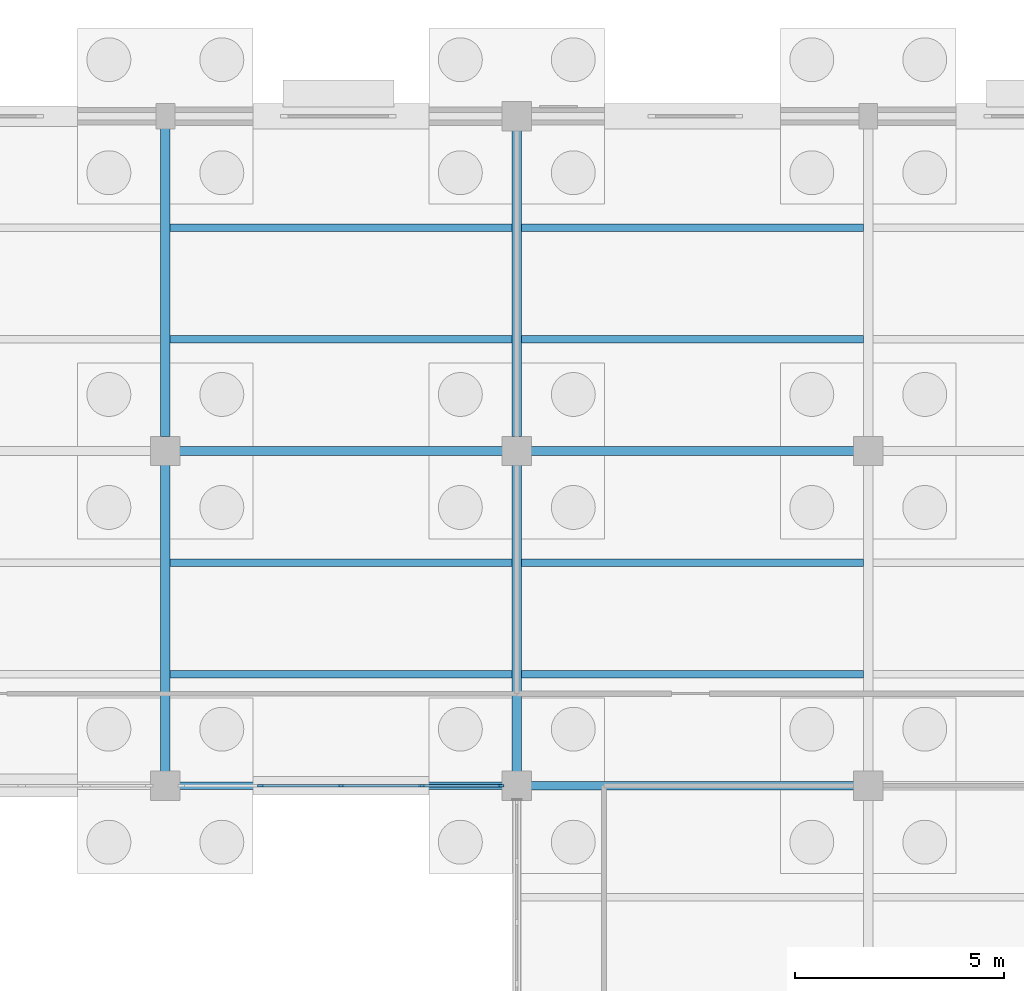
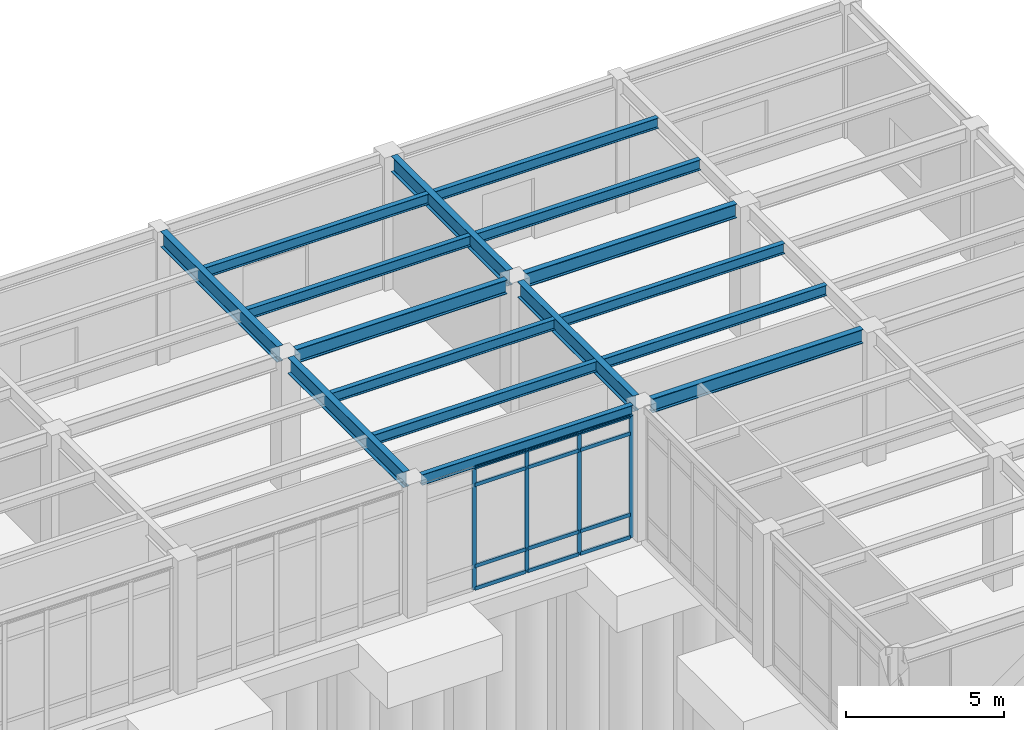
# One storey, part 62 of 138: 16 beams, 16 members, 1 element without a shape of its own.
"""IFC4 building model written with IfcOpenShell, lengths in metres."""

from ifc_helpers import new_model, si_unit, direction, frame, origin, origin_2d, place, context, subcontext, project, spatial, rectangle, i_section, extrude, material, layer, layer_set, material_profile, profile_set, type_object, element, aggregate, save


model = new_model("IFC4")

# Units and contexts
model_context = context("Model", 3, precision=1e-05, world=origin(), true_north=direction((0.0, 1.0)))
body_context = subcontext(model_context, "Body", "Model", "MODEL_VIEW")
ifc_project = project(units=[si_unit("LENGTHUNIT", "METRE"), si_unit("AREAUNIT", "SQUARE_METRE"), si_unit("VOLUMEUNIT", "CUBIC_METRE"), si_unit("PLANEANGLEUNIT", "RADIAN"), si_unit("MASSUNIT", "GRAM", prefix="KILO")], contexts=[model_context])

# Site, building, storey
site_placement = place(None, origin())
site = spatial("IfcSite", under=ifc_project, at=site_placement, CompositionType="ELEMENT")
building_placement = place(site_placement, origin())
building = spatial("IfcBuilding", under=site, at=building_placement, Name="Kranzveld Transit Interchange", CompositionType="ELEMENT")
storey_placement = place(building_placement, origin())
storey = spatial("IfcBuildingStorey", under=building, at=storey_placement, Name="L00", CompositionType="ELEMENT", Elevation=0.0)

# Curtain wall, members
ifc_material_1 = material(Name="Bronze-anodised thermally broken aluminium", Category="aluminium")
ifc_layer = layer(ifc_material_1, 0.159912109375)
ifc_layer_set = layer_set([ifc_layer], Name="Bronze-anodised thermally broken aluminium")
curtain_wall_type = type_object("IfcCurtainWallType", Name="Bus Boarding Glazed Screen CW-3", PredefinedType="USERDEFINED", material=ifc_layer_set)
curtain_wall_placement = place(storey_placement, origin())
curtain_wall = element("IfcCurtainWall", 1, at=curtain_wall_placement, inside=storey, type_object=curtain_wall_type, Name="L00 Curtain Wall 18/N-19/N", ObjectType="CURTAIN WALL", PredefinedType="USERDEFINED")
ifc_material_2 = material(Name="Bronze-anodised thermally broken aluminium", Category="aluminium")
ifc_material_profile_1 = material_profile(ifc_material_2, rectangle(XDim=0.06005859375, YDim=0.14990234375, at=origin_2d()), Name="ALU MULLION 60x150")
ifc_profile_set_1 = profile_set([ifc_material_profile_1], Name="Bronze-anodised thermally broken aluminium")
member_type_1 = type_object("IfcMemberType", Name="Curtain Wall Mullion 60x150 Alu", PredefinedType="MULLION", material=ifc_profile_set_1)
member_1_placement = place(storey_placement, frame((145.074951171875, 96.0, 0.0), z_axis=(0.0, 0.0, 1.0), x_axis=(0.0, 1.0, 0.0)))
member_1 = element("IfcMember", 2, at=member_1_placement, type_object=member_type_1, Name="CW-3 mullion 2", PredefinedType="MULLION", context=body_context, shape_type="SweptSolid", body=[
    extrude(rectangle(XDim=0.06005859375, YDim=0.14990234375, at=origin_2d()), origin(), (0.0, 0.0, 1.0), 4.740478515625),
])
member_2_placement = place(storey_placement, frame((147.0, 96.0, 0.0), z_axis=(0.0, 0.0, 1.0), x_axis=(0.0, 1.0, 0.0)))
member_2 = element("IfcMember", 3, at=member_2_placement, type_object=member_type_1, Name="CW-3 mullion 3", PredefinedType="MULLION", context=body_context, shape_type="SweptSolid", body=[
    extrude(rectangle(XDim=0.06005859375, YDim=0.14990234375, at=origin_2d()), origin(), (0.0, 0.0, 1.0), 4.740478515625),
])
member_3_placement = place(storey_placement, frame((148.925048828125, 96.0, 0.0), z_axis=(0.0, 0.0, 1.0), x_axis=(0.0, 1.0, 0.0)))
member_3 = element("IfcMember", 4, at=member_3_placement, type_object=member_type_1, Name="CW-3 mullion 4", PredefinedType="MULLION", context=body_context, shape_type="SweptSolid", body=[
    extrude(rectangle(XDim=0.06005859375, YDim=0.14990234375, at=origin_2d()), origin(), (0.0, 0.0, 1.0), 4.740478515625),
])
member_4_placement = place(storey_placement, frame((150.820068359375, 96.0, 0.0), z_axis=(0.0, 0.0, 1.0), x_axis=(0.0, 1.0, 0.0)))
member_4 = element("IfcMember", 5, at=member_4_placement, type_object=member_type_1, Name="CW-3 mullion 5", PredefinedType="MULLION", context=body_context, shape_type="SweptSolid", body=[
    extrude(rectangle(XDim=0.06005859375, YDim=0.14990234375, at=origin_2d()), origin(), (0.0, 0.0, 1.0), 4.740478515625),
])
ifc_material_3 = material(Name="Bronze-anodised thermally broken aluminium", Category="aluminium")
ifc_material_profile_2 = material_profile(ifc_material_3, rectangle(XDim=0.06494140625, YDim=0.139892578125, at=origin_2d()), Name="ALU TRANSOM 65x140")
ifc_profile_set_2 = profile_set([ifc_material_profile_2], Name="Bronze-anodised thermally broken aluminium")
member_type_2 = type_object("IfcMemberType", Name="Curtain Wall Transom 65x140 Alu", PredefinedType="USERDEFINED", material=ifc_profile_set_2)
member_5_placement = place(storey_placement, frame((145.10498046875, 96.0, 0.032470703125), z_axis=(1.0, 0.0, 0.0), x_axis=(0.0, 1.0, 0.0)))
member_5 = element("IfcMember", 6, at=member_5_placement, type_object=member_type_2, Name="CW-3 transom 2.1", ObjectType="TRANSOM", PredefinedType="USERDEFINED", context=body_context, shape_type="SweptSolid", body=[
    extrude(rectangle(XDim=0.06494140625, YDim=0.139892578125, at=origin_2d()), origin(), (0.0, 0.0, 1.0), 1.864990234375),
])
member_6_placement = place(storey_placement, frame((145.10498046875, 96.0, 0.89990234375), z_axis=(1.0, 0.0, 0.0), x_axis=(0.0, 1.0, 0.0)))
member_6 = element("IfcMember", 7, at=member_6_placement, type_object=member_type_2, Name="CW-3 transom 2.2", ObjectType="TRANSOM", PredefinedType="USERDEFINED", context=body_context, shape_type="SweptSolid", body=[
    extrude(rectangle(XDim=0.06494140625, YDim=0.139892578125, at=origin_2d()), origin(), (0.0, 0.0, 1.0), 1.864990234375),
])
member_7_placement = place(storey_placement, frame((145.10498046875, 96.0, 4.04052734375), z_axis=(1.0, 0.0, 0.0), x_axis=(0.0, 1.0, 0.0)))
member_7 = element("IfcMember", 8, at=member_7_placement, type_object=member_type_2, Name="CW-3 transom 2.3", ObjectType="TRANSOM", PredefinedType="USERDEFINED", context=body_context, shape_type="SweptSolid", body=[
    extrude(rectangle(XDim=0.06494140625, YDim=0.139892578125, at=origin_2d()), origin(), (0.0, 0.0, 1.0), 1.864990234375),
])
member_8_placement = place(storey_placement, frame((145.10498046875, 96.0, 4.7080078125), z_axis=(1.0, 0.0, 0.0), x_axis=(0.0, 1.0, 0.0)))
member_8 = element("IfcMember", 9, at=member_8_placement, type_object=member_type_2, Name="CW-3 transom 2.4", ObjectType="TRANSOM", PredefinedType="USERDEFINED", context=body_context, shape_type="SweptSolid", body=[
    extrude(rectangle(XDim=0.06494140625, YDim=0.139892578125, at=origin_2d()), origin(), (0.0, 0.0, 1.0), 1.864990234375),
])
member_9_placement = place(storey_placement, frame((147.030029296875, 96.0, 0.032470703125), z_axis=(1.0, 0.0, 0.0), x_axis=(0.0, 1.0, 0.0)))
member_9 = element("IfcMember", 10, at=member_9_placement, type_object=member_type_2, Name="CW-3 transom 3.1", ObjectType="TRANSOM", PredefinedType="USERDEFINED", context=body_context, shape_type="SweptSolid", body=[
    extrude(rectangle(XDim=0.06494140625, YDim=0.139892578125, at=origin_2d()), origin(), (0.0, 0.0, 1.0), 1.864990234375),
])
member_10_placement = place(storey_placement, frame((147.030029296875, 96.0, 0.89990234375), z_axis=(1.0, 0.0, 0.0), x_axis=(0.0, 1.0, 0.0)))
member_10 = element("IfcMember", 11, at=member_10_placement, type_object=member_type_2, Name="CW-3 transom 3.2", ObjectType="TRANSOM", PredefinedType="USERDEFINED", context=body_context, shape_type="SweptSolid", body=[
    extrude(rectangle(XDim=0.06494140625, YDim=0.139892578125, at=origin_2d()), origin(), (0.0, 0.0, 1.0), 1.864990234375),
])
member_11_placement = place(storey_placement, frame((147.030029296875, 96.0, 4.04052734375), z_axis=(1.0, 0.0, 0.0), x_axis=(0.0, 1.0, 0.0)))
member_11 = element("IfcMember", 12, at=member_11_placement, type_object=member_type_2, Name="CW-3 transom 3.3", ObjectType="TRANSOM", PredefinedType="USERDEFINED", context=body_context, shape_type="SweptSolid", body=[
    extrude(rectangle(XDim=0.06494140625, YDim=0.139892578125, at=origin_2d()), origin(), (0.0, 0.0, 1.0), 1.864990234375),
])
member_12_placement = place(storey_placement, frame((147.030029296875, 96.0, 4.7080078125), z_axis=(1.0, 0.0, 0.0), x_axis=(0.0, 1.0, 0.0)))
member_12 = element("IfcMember", 13, at=member_12_placement, type_object=member_type_2, Name="CW-3 transom 3.4", ObjectType="TRANSOM", PredefinedType="USERDEFINED", context=body_context, shape_type="SweptSolid", body=[
    extrude(rectangle(XDim=0.06494140625, YDim=0.139892578125, at=origin_2d()), origin(), (0.0, 0.0, 1.0), 1.864990234375),
])
member_13_placement = place(storey_placement, frame((148.955078125, 96.0, 0.032470703125), z_axis=(1.0, 0.0, 0.0), x_axis=(0.0, 1.0, 0.0)))
member_13 = element("IfcMember", 14, at=member_13_placement, type_object=member_type_2, Name="CW-3 transom 4.1", ObjectType="TRANSOM", PredefinedType="USERDEFINED", context=body_context, shape_type="SweptSolid", body=[
    extrude(rectangle(XDim=0.06494140625, YDim=0.139892578125, at=origin_2d()), origin(), (0.0, 0.0, 1.0), 1.8349609375),
])
member_14_placement = place(storey_placement, frame((148.955078125, 96.0, 0.89990234375), z_axis=(1.0, 0.0, 0.0), x_axis=(0.0, 1.0, 0.0)))
member_14 = element("IfcMember", 15, at=member_14_placement, type_object=member_type_2, Name="CW-3 transom 4.2", ObjectType="TRANSOM", PredefinedType="USERDEFINED", context=body_context, shape_type="SweptSolid", body=[
    extrude(rectangle(XDim=0.06494140625, YDim=0.139892578125, at=origin_2d()), origin(), (0.0, 0.0, 1.0), 1.8349609375),
])
member_15_placement = place(storey_placement, frame((148.955078125, 96.0, 4.04052734375), z_axis=(1.0, 0.0, 0.0), x_axis=(0.0, 1.0, 0.0)))
member_15 = element("IfcMember", 16, at=member_15_placement, type_object=member_type_2, Name="CW-3 transom 4.3", ObjectType="TRANSOM", PredefinedType="USERDEFINED", context=body_context, shape_type="SweptSolid", body=[
    extrude(rectangle(XDim=0.06494140625, YDim=0.139892578125, at=origin_2d()), origin(), (0.0, 0.0, 1.0), 1.8349609375),
])
member_16_placement = place(storey_placement, frame((148.955078125, 96.0, 4.7080078125), z_axis=(1.0, 0.0, 0.0), x_axis=(0.0, 1.0, 0.0)))
member_16 = element("IfcMember", 17, at=member_16_placement, type_object=member_type_2, Name="CW-3 transom 4.4", ObjectType="TRANSOM", PredefinedType="USERDEFINED", context=body_context, shape_type="SweptSolid", body=[
    extrude(rectangle(XDim=0.06494140625, YDim=0.139892578125, at=origin_2d()), origin(), (0.0, 0.0, 1.0), 1.8349609375),
])
aggregate(curtain_wall, [member_1, member_2, member_3, member_4, member_5, member_6, member_7, member_8, member_9, member_10, member_11, member_12, member_13, member_14, member_15, member_16])

# Beams
ifc_material_4 = material(Name="Steel S355JR", Category="steel")
ifc_material_profile_3 = material_profile(ifc_material_4, i_section(OverallWidth=0.1787109375, OverallDepth=0.409423828125, WebThickness=0.0087890625, FlangeThickness=0.014404296875, FilletRadius=0.01025390625, at=origin_2d()), Name="UB 406x178x67")
ifc_profile_set_3 = profile_set([ifc_material_profile_3], Name="Steel S355JR")
beam_type_1 = type_object("IfcBeamType", Name="Facade Spandrel UB 406x178x67 S355JR", PredefinedType="SPANDREL", material=ifc_profile_set_3)
beam_1_placement = place(storey_placement, frame((143.139892578125, 96.0, 4.9453125), z_axis=(1.0, 0.0, 0.0), x_axis=(0.0, 1.0, 0.0)))
element("IfcBeam", 18, at=beam_1_placement, inside=storey, type_object=beam_type_1, Name="L00 Girder 18-19/N", PredefinedType="SPANDREL", context=body_context, shape_type="SweptSolid", body=[
    extrude(i_section(OverallWidth=0.1787109375, OverallDepth=0.409423828125, WebThickness=0.0087890625, FlangeThickness=0.014404296875, FilletRadius=0.01025390625, at=origin_2d()), origin(), (0.0, 0.0, 1.0), 7.72021484375),
])
ifc_material_5 = material(Name="Steel S355JR", Category="steel")
ifc_material_profile_4 = material_profile(ifc_material_5, i_section(OverallWidth=0.177734375, OverallDepth=0.402587890625, WebThickness=0.0078125, FlangeThickness=0.010986328125, FilletRadius=0.01025390625, at=origin_2d()), Name="UB 406x178x54")
ifc_profile_set_4 = profile_set([ifc_material_profile_4], Name="Steel S355JR")
beam_type_2 = type_object("IfcBeamType", Name="Floor Joist UB 406x178x54 S355JR", PredefinedType="JOIST", material=ifc_profile_set_4)
for number, where, z_axis, x_axis, name in (
    (19, (142.916015625, 98.666748046875, 4.94873046875), (1.0, 0.0, 0.0), (0.0, 1.0, 0.0), "L00 Secondary Joist 18-19/N.1"),
    (20, (142.916015625, 101.333251953125, 4.94873046875), (1.0, 0.0, 0.0), (0.0, 1.0, 0.0), "L00 Secondary Joist 18-19/N.2"),
    (21, (142.916015625, 106.666748046875, 4.94873046875), (1.0, 0.0, 0.0), (0.0, 1.0, 0.0), "L00 Secondary Joist 18-19/P.1"),
    (22, (142.916015625, 109.333251953125, 4.94873046875), (1.0, 0.0, 0.0), (0.0, 1.0, 0.0), "L00 Secondary Joist 18-19/P.2"),
):
    element("IfcBeam", number, at=place(storey_placement, frame(where, z_axis=z_axis, x_axis=x_axis)), inside=storey, type_object=beam_type_2, Name=name, PredefinedType="JOIST", context=body_context, shape_type="SweptSolid", body=[
        extrude(i_section(OverallWidth=0.177734375, OverallDepth=0.402587890625, WebThickness=0.0078125, FlangeThickness=0.010986328125, FilletRadius=0.01025390625, at=origin_2d()), origin(), (0.0, 0.0, 1.0), 8.16796875),
    ])
for number, where, z_axis, x_axis, name in (
    (23, (151.316162109375, 98.666748046875, 4.94873046875), (1.0, 0.0, 0.0), (0.0, 1.0, 0.0), "L00 Secondary Joist 19-20/N.1"),
    (24, (151.316162109375, 101.333251953125, 4.94873046875), (1.0, 0.0, 0.0), (0.0, 1.0, 0.0), "L00 Secondary Joist 19-20/N.2"),
    (25, (151.316162109375, 106.666748046875, 4.94873046875), (1.0, 0.0, 0.0), (0.0, 1.0, 0.0), "L00 Secondary Joist 19-20/P.1"),
    (26, (151.316162109375, 109.333251953125, 4.94873046875), (1.0, 0.0, 0.0), (0.0, 1.0, 0.0), "L00 Secondary Joist 19-20/P.2"),
):
    element("IfcBeam", number, at=place(storey_placement, frame(where, z_axis=z_axis, x_axis=x_axis)), inside=storey, type_object=beam_type_2, Name=name, PredefinedType="JOIST", context=body_context, shape_type="SweptSolid", body=[
        extrude(i_section(OverallWidth=0.177734375, OverallDepth=0.402587890625, WebThickness=0.0078125, FlangeThickness=0.010986328125, FilletRadius=0.01025390625, at=origin_2d()), origin(), (0.0, 0.0, 1.0), 8.167724609375),
    ])
ifc_material_6 = material(Name="Steel S355JR", Category="steel")
ifc_material_profile_5 = material_profile(ifc_material_6, i_section(OverallWidth=0.2119140625, OverallDepth=0.54443359375, WebThickness=0.0126953125, FlangeThickness=0.021240234375, FilletRadius=0.0126953125, at=origin_2d()), Name="UB 533x210x122")
ifc_profile_set_5 = profile_set([ifc_material_profile_5], Name="Steel S355JR")
beam_type_3 = type_object("IfcBeamType", Name="Girder Steel UB 533x210x122 S355JR", PredefinedType="BEAM", material=ifc_profile_set_5)
beam_2_placement = place(storey_placement, frame((151.5400390625, 96.0, 4.877685546875), z_axis=(1.0, 0.0, 0.0), x_axis=(0.0, 1.0, 0.0)))
element("IfcBeam", 27, at=beam_2_placement, inside=storey, type_object=beam_type_3, Name="L00 Girder 19-20/N", PredefinedType="BEAM", context=body_context, shape_type="SweptSolid", body=[
    extrude(i_section(OverallWidth=0.2119140625, OverallDepth=0.54443359375, WebThickness=0.0126953125, FlangeThickness=0.021240234375, FilletRadius=0.0126953125, at=origin_2d()), origin(), (0.0, 0.0, 1.0), 7.719970703125),
])
beam_3_placement = place(storey_placement, frame((143.139892578125, 104.0, 4.877685546875), z_axis=(1.0, 0.0, 0.0), x_axis=(0.0, 1.0, 0.0)))
element("IfcBeam", 28, at=beam_3_placement, inside=storey, type_object=beam_type_3, Name="L00 Girder 18-19/P", PredefinedType="BEAM", context=body_context, shape_type="SweptSolid", body=[
    extrude(i_section(OverallWidth=0.2119140625, OverallDepth=0.54443359375, WebThickness=0.0126953125, FlangeThickness=0.021240234375, FilletRadius=0.0126953125, at=origin_2d()), origin(), (0.0, 0.0, 1.0), 7.72021484375),
])
beam_4_placement = place(storey_placement, frame((151.5400390625, 104.0, 4.877685546875), z_axis=(1.0, 0.0, 0.0), x_axis=(0.0, 1.0, 0.0)))
element("IfcBeam", 29, at=beam_4_placement, inside=storey, type_object=beam_type_3, Name="L00 Girder 19-20/P", PredefinedType="BEAM", context=body_context, shape_type="SweptSolid", body=[
    extrude(i_section(OverallWidth=0.2119140625, OverallDepth=0.54443359375, WebThickness=0.0126953125, FlangeThickness=0.021240234375, FilletRadius=0.0126953125, at=origin_2d()), origin(), (0.0, 0.0, 1.0), 7.719970703125),
])
ifc_material_7 = material(Name="Steel S355JR", Category="steel")
ifc_material_profile_6 = material_profile(ifc_material_7, i_section(OverallWidth=0.228271484375, OverallDepth=0.607666015625, WebThickness=0.010986328125, FlangeThickness=0.017333984375, FilletRadius=0.0126953125, at=origin_2d()), Name="UB 610x229x113")
ifc_profile_set_6 = profile_set([ifc_material_profile_6], Name="Steel S355JR")
beam_type_4 = type_object("IfcBeamType", Name="Girder Steel UB 610x229x113 S355JR", PredefinedType="BEAM", material=ifc_profile_set_6)
beam_5_placement = place(storey_placement, frame((142.800048828125, 96.340087890625, 4.84619140625), z_axis=(0.0, 1.0, 0.0), x_axis=(-1.0, 0.0, 0.0)))
element("IfcBeam", 30, at=beam_5_placement, inside=storey, type_object=beam_type_4, Name="L00 Girder 18/N-P", PredefinedType="BEAM", context=body_context, shape_type="SweptSolid", body=[
    extrude(i_section(OverallWidth=0.228271484375, OverallDepth=0.607666015625, WebThickness=0.010986328125, FlangeThickness=0.017333984375, FilletRadius=0.0126953125, at=origin_2d()), origin(), (0.0, 0.0, 1.0), 7.31982421875),
])
beam_6_placement = place(storey_placement, frame((142.800048828125, 104.340087890625, 4.84619140625), z_axis=(0.0, 1.0, 0.0), x_axis=(-1.0, 0.0, 0.0)))
element("IfcBeam", 31, at=beam_6_placement, inside=storey, type_object=beam_type_4, Name="L00 Girder 18/P-Q", PredefinedType="BEAM", context=body_context, shape_type="SweptSolid", body=[
    extrude(i_section(OverallWidth=0.228271484375, OverallDepth=0.607666015625, WebThickness=0.010986328125, FlangeThickness=0.017333984375, FilletRadius=0.0126953125, at=origin_2d()), origin(), (0.0, 0.0, 1.0), 7.369873046875),
])
for number, where, z_axis, x_axis, name in (
    (32, (151.199951171875, 96.340087890625, 4.84619140625), (0.0, 1.0, 0.0), (-1.0, 0.0, 0.0), "L00 Girder 19/N-P"),
    (33, (151.199951171875, 104.340087890625, 4.84619140625), (0.0, 1.0, 0.0), (-1.0, 0.0, 0.0), "L00 Girder 19/P-Q"),
):
    element("IfcBeam", number, at=place(storey_placement, frame(where, z_axis=z_axis, x_axis=x_axis)), inside=storey, type_object=beam_type_4, Name=name, PredefinedType="BEAM", context=body_context, shape_type="SweptSolid", body=[
        extrude(i_section(OverallWidth=0.228271484375, OverallDepth=0.607666015625, WebThickness=0.010986328125, FlangeThickness=0.017333984375, FilletRadius=0.0126953125, at=origin_2d()), origin(), (0.0, 0.0, 1.0), 7.31982421875),
    ])

save(model, "model.ifc")
